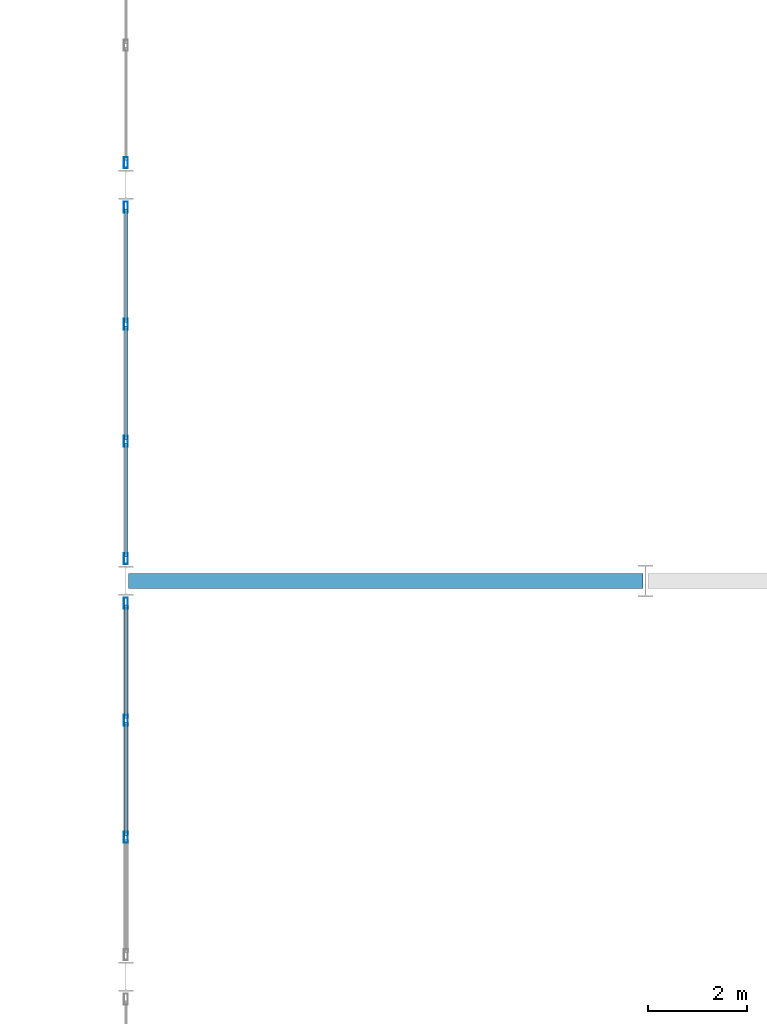
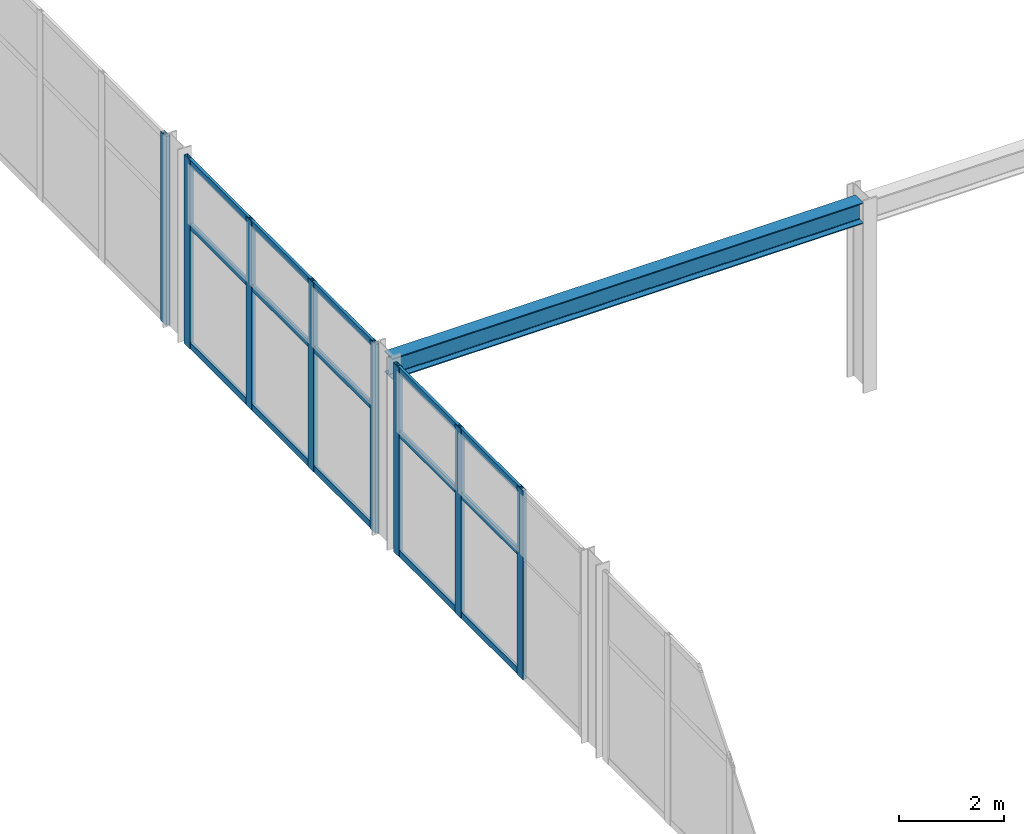
# One storey, part 24 of 105: 23 members, 1 beam, 3 elements without a shape of their own.
"""IFC4 building model written with IfcOpenShell, lengths in metres."""

from ifc_helpers import new_model, si_unit, direction, frame, origin, origin_2d, place, context, subcontext, project, spatial, hollow_rectangle, i_section, extrude, material, layer, layer_set, material_profile, profile_set, type_object, element, aggregate, save


model = new_model("IFC4")

# Units and contexts
model_context = context("Model", 3, precision=1e-05, world=origin(), true_north=direction((0.0, 1.0)))
body_context = subcontext(model_context, "Body", "Model", "MODEL_VIEW")
ifc_project = project(units=[si_unit("LENGTHUNIT", "METRE"), si_unit("AREAUNIT", "SQUARE_METRE"), si_unit("VOLUMEUNIT", "CUBIC_METRE"), si_unit("PLANEANGLEUNIT", "RADIAN"), si_unit("MASSUNIT", "GRAM", prefix="KILO")], contexts=[model_context])

# Site, building, storey
site_placement = place(None, origin())
site = spatial("IfcSite", under=ifc_project, at=site_placement, CompositionType="ELEMENT")
building_placement = place(site_placement, origin())
building = spatial("IfcBuilding", under=site, at=building_placement, Name="Marlcrest Central Station", CompositionType="ELEMENT")
storey_placement = place(building_placement, frame((0.0, 0.0, 15.0)))
storey = spatial("IfcBuildingStorey", under=building, at=storey_placement, Name="L03", CompositionType="ELEMENT", Elevation=15.0)

# Beam
ifc_material_1 = material(Name="Steel S355", Category="steel")
ifc_material_profile_1 = material_profile(ifc_material_1, i_section(OverallWidth=0.300048828125, OverallDepth=0.489990234375, WebThickness=0.011962890625, FlangeThickness=0.02294921875, FilletRadius=0.027099609375, at=origin_2d()), Name="HEA 500")
ifc_profile_set_1 = profile_set([ifc_material_profile_1], Name="Steel S355")
beam_type = type_object("IfcBeamType", Name="BM-10", PredefinedType="BEAM", material=ifc_profile_set_1)
beam_placement = place(storey_placement, frame((87.050048828125, 54.5, 4.074951171875), z_axis=(1.0, 0.0, 0.0), x_axis=(0.0, 1.0, 0.0)))
element("IfcBeam", 1, at=beam_placement, inside=storey, type_object=beam_type, Name="bm-BM-10-L03-01190", PredefinedType="BEAM", context=body_context, shape_type="SweptSolid", body=[
    extrude(i_section(OverallWidth=0.300048828125, OverallDepth=0.489990234375, WebThickness=0.011962890625, FlangeThickness=0.02294921875, FilletRadius=0.027099609375, at=origin_2d()), origin(), (0.0, 0.0, 1.0), 10.39990234375),
])

# Curtain wall, members
ifc_material_2 = material(Name="Anodised aluminium and hurricane laminated glass", Category="aluminium")
ifc_layer = layer(ifc_material_2, 0.219970703125, Name="CW-U1")
ifc_layer_set = layer_set([ifc_layer], Name="Anodised aluminium and hurricane laminated glass")
curtain_wall_type = type_object("IfcCurtainWallType", Name="CW-U1", PredefinedType="USERDEFINED", material=ifc_layer_set)
curtain_wall_1_placement = place(storey_placement, origin())
curtain_wall_1 = element("IfcCurtainWall", 2, at=curtain_wall_1_placement, inside=storey, type_object=curtain_wall_type, Name="cw-L03-0113", ObjectType="UNITISED_CURTAIN_WALL", PredefinedType="USERDEFINED")
ifc_material_3 = material(Name="Anodised aluminium 6063-T6", Category="aluminium")
ifc_material_profile_2 = material_profile(ifc_material_3, hollow_rectangle(XDim=0.080078125, YDim=0.219970703125, WallThickness=0.006103515625, at=origin_2d()), Name="AA-RHS 220x80x6")
ifc_profile_set_2 = profile_set([ifc_material_profile_2], Name="Anodised aluminium 6063-T6")
member_type_1 = type_object("IfcMemberType", Name="ML-01", PredefinedType="MULLION", material=ifc_profile_set_2)
member_1_placement = place(storey_placement, frame((87.0, 49.316650390625, -0.030029296875), z_axis=(0.0, 0.0, 1.0), x_axis=(1.0, 0.0, 0.0)))
member_1 = element("IfcMember", 3, at=member_1_placement, type_object=member_type_1, Name="cw-L03-0113-ml-1", PredefinedType="MULLION", context=body_context, shape_type="SweptSolid", body=[
    extrude(hollow_rectangle(XDim=0.080078125, YDim=0.219970703125, WallThickness=0.006103515625, at=origin_2d()), origin(), (0.0, 0.0, 1.0), 4.409912109375),
])
member_2_placement = place(storey_placement, frame((87.0, 51.683349609375, -0.030029296875), z_axis=(0.0, 0.0, 1.0), x_axis=(1.0, 0.0, 0.0)))
member_2 = element("IfcMember", 4, at=member_2_placement, type_object=member_type_1, Name="cw-L03-0113-ml-2", PredefinedType="MULLION", context=body_context, shape_type="SweptSolid", body=[
    extrude(hollow_rectangle(XDim=0.080078125, YDim=0.219970703125, WallThickness=0.006103515625, at=origin_2d()), origin(), (0.0, 0.0, 1.0), 4.409912109375),
])
member_3_placement = place(storey_placement, frame((87.0, 54.050048828125, -0.030029296875), z_axis=(0.0, 0.0, 1.0), x_axis=(1.0, 0.0, 0.0)))
member_3 = element("IfcMember", 5, at=member_3_placement, type_object=member_type_1, Name="cw-L03-0113-ml-3", PredefinedType="MULLION", context=body_context, shape_type="SweptSolid", body=[
    extrude(hollow_rectangle(XDim=0.080078125, YDim=0.219970703125, WallThickness=0.006103515625, at=origin_2d()), origin(), (0.0, 0.0, 1.0), 4.409912109375),
])

curtain_wall_2_placement = place(storey_placement, origin())
curtain_wall_2 = element("IfcCurtainWall", 6, at=curtain_wall_2_placement, inside=storey, type_object=curtain_wall_type, Name="cw-L03-0117", ObjectType="UNITISED_CURTAIN_WALL", PredefinedType="USERDEFINED")
member_4_placement = place(storey_placement, frame((87.0, 54.949951171875, -0.030029296875), z_axis=(0.0, 0.0, 1.0), x_axis=(1.0, 0.0, 0.0)))
member_4 = element("IfcMember", 7, at=member_4_placement, type_object=member_type_1, Name="cw-L03-0117-ml-0", PredefinedType="MULLION", context=body_context, shape_type="SweptSolid", body=[
    extrude(hollow_rectangle(XDim=0.080078125, YDim=0.219970703125, WallThickness=0.006103515625, at=origin_2d()), origin(), (0.0, 0.0, 1.0), 4.409912109375),
])
member_5_placement = place(storey_placement, frame((87.0, 57.316650390625, -0.030029296875), z_axis=(0.0, 0.0, 1.0), x_axis=(1.0, 0.0, 0.0)))
member_5 = element("IfcMember", 8, at=member_5_placement, type_object=member_type_1, Name="cw-L03-0117-ml-1", PredefinedType="MULLION", context=body_context, shape_type="SweptSolid", body=[
    extrude(hollow_rectangle(XDim=0.080078125, YDim=0.219970703125, WallThickness=0.006103515625, at=origin_2d()), origin(), (0.0, 0.0, 1.0), 4.409912109375),
])
member_6_placement = place(storey_placement, frame((87.0, 59.683349609375, -0.030029296875), z_axis=(0.0, 0.0, 1.0), x_axis=(1.0, 0.0, 0.0)))
member_6 = element("IfcMember", 9, at=member_6_placement, type_object=member_type_1, Name="cw-L03-0117-ml-2", PredefinedType="MULLION", context=body_context, shape_type="SweptSolid", body=[
    extrude(hollow_rectangle(XDim=0.080078125, YDim=0.219970703125, WallThickness=0.006103515625, at=origin_2d()), origin(), (0.0, 0.0, 1.0), 4.409912109375),
])
member_7_placement = place(storey_placement, frame((87.0, 62.050048828125, -0.030029296875), z_axis=(0.0, 0.0, 1.0), x_axis=(1.0, 0.0, 0.0)))
member_7 = element("IfcMember", 10, at=member_7_placement, type_object=member_type_1, Name="cw-L03-0117-ml-3", PredefinedType="MULLION", context=body_context, shape_type="SweptSolid", body=[
    extrude(hollow_rectangle(XDim=0.080078125, YDim=0.219970703125, WallThickness=0.006103515625, at=origin_2d()), origin(), (0.0, 0.0, 1.0), 4.409912109375),
])

# Curtain wall, member
curtain_wall_3_placement = place(storey_placement, origin())
curtain_wall_3 = element("IfcCurtainWall", 11, at=curtain_wall_3_placement, inside=storey, type_object=curtain_wall_type, Name="cw-L03-0121", ObjectType="UNITISED_CURTAIN_WALL", PredefinedType="USERDEFINED")
member_8_placement = place(storey_placement, frame((87.0, 62.949951171875, -0.030029296875), z_axis=(0.0, 0.0, 1.0), x_axis=(1.0, 0.0, 0.0)))
member_8 = element("IfcMember", 12, at=member_8_placement, type_object=member_type_1, Name="cw-L03-0121-ml-0", PredefinedType="MULLION", context=body_context, shape_type="SweptSolid", body=[
    extrude(hollow_rectangle(XDim=0.080078125, YDim=0.219970703125, WallThickness=0.006103515625, at=origin_2d()), origin(), (0.0, 0.0, 1.0), 4.409912109375),
])
aggregate(curtain_wall_3, [member_8])

# Member
ifc_material_profile_3 = material_profile(ifc_material_3, hollow_rectangle(XDim=0.06005859375, YDim=0.14990234375, WallThickness=0.00390625, at=origin_2d()), Name="AA-RHS 150x60x4")
ifc_profile_set_3 = profile_set([ifc_material_profile_3], Name="Anodised aluminium 6063-T6")
member_type_2 = type_object("IfcMemberType", Name="TR-01", PredefinedType="USERDEFINED", material=ifc_profile_set_3)
member_9_placement = place(storey_placement, frame((87.0, 49.354736328125, 0.0400390625), z_axis=(0.0, 1.0, 0.0), x_axis=(-1.0, 0.0, 0.0)))
member_9 = element("IfcMember", 13, at=member_9_placement, type_object=member_type_2, Name="cw-L03-0113-tr-1-sill", ObjectType="TRANSOM", PredefinedType="USERDEFINED", context=body_context, shape_type="SweptSolid", body=[
    extrude(hollow_rectangle(XDim=0.06005859375, YDim=0.14990234375, WallThickness=0.00390625, at=origin_2d()), origin(), (0.0, 0.0, 1.0), 2.29052734375),
])

member_10_placement = place(storey_placement, frame((87.0, 49.354736328125, 2.827880859375), z_axis=(0.0, 1.0, 0.0), x_axis=(-1.0, 0.0, 0.0)))
member_10 = element("IfcMember", 14, at=member_10_placement, type_object=member_type_2, Name="cw-L03-0113-tr-1-mid", ObjectType="TRANSOM", PredefinedType="USERDEFINED", context=body_context, shape_type="SweptSolid", body=[
    extrude(hollow_rectangle(XDim=0.06005859375, YDim=0.14990234375, WallThickness=0.00390625, at=origin_2d()), origin(), (0.0, 0.0, 1.0), 2.29052734375),
])

member_11_placement = place(storey_placement, frame((87.0, 49.354736328125, 4.31005859375), z_axis=(0.0, 1.0, 0.0), x_axis=(-1.0, 0.0, 0.0)))
member_11 = element("IfcMember", 15, at=member_11_placement, type_object=member_type_2, Name="cw-L03-0113-tr-1-head", ObjectType="TRANSOM", PredefinedType="USERDEFINED", context=body_context, shape_type="SweptSolid", body=[
    extrude(hollow_rectangle(XDim=0.06005859375, YDim=0.14990234375, WallThickness=0.00390625, at=origin_2d()), origin(), (0.0, 0.0, 1.0), 2.29052734375),
])

member_12_placement = place(storey_placement, frame((87.0, 51.72119140625, 0.0400390625), z_axis=(0.0, 1.0, 0.0), x_axis=(-1.0, 0.0, 0.0)))
member_12 = element("IfcMember", 16, at=member_12_placement, type_object=member_type_2, Name="cw-L03-0113-tr-2-sill", ObjectType="TRANSOM", PredefinedType="USERDEFINED", context=body_context, shape_type="SweptSolid", body=[
    extrude(hollow_rectangle(XDim=0.06005859375, YDim=0.14990234375, WallThickness=0.00390625, at=origin_2d()), origin(), (0.0, 0.0, 1.0), 2.290771484375),
])

member_13_placement = place(storey_placement, frame((87.0, 51.72119140625, 2.827880859375), z_axis=(0.0, 1.0, 0.0), x_axis=(-1.0, 0.0, 0.0)))
member_13 = element("IfcMember", 17, at=member_13_placement, type_object=member_type_2, Name="cw-L03-0113-tr-2-mid", ObjectType="TRANSOM", PredefinedType="USERDEFINED", context=body_context, shape_type="SweptSolid", body=[
    extrude(hollow_rectangle(XDim=0.06005859375, YDim=0.14990234375, WallThickness=0.00390625, at=origin_2d()), origin(), (0.0, 0.0, 1.0), 2.290771484375),
])

member_14_placement = place(storey_placement, frame((87.0, 51.72119140625, 4.31005859375), z_axis=(0.0, 1.0, 0.0), x_axis=(-1.0, 0.0, 0.0)))
member_14 = element("IfcMember", 18, at=member_14_placement, type_object=member_type_2, Name="cw-L03-0113-tr-2-head", ObjectType="TRANSOM", PredefinedType="USERDEFINED", context=body_context, shape_type="SweptSolid", body=[
    extrude(hollow_rectangle(XDim=0.06005859375, YDim=0.14990234375, WallThickness=0.00390625, at=origin_2d()), origin(), (0.0, 0.0, 1.0), 2.290771484375),
])

aggregate(curtain_wall_1, [member_1, member_2, member_3, member_9, member_10, member_11, member_12, member_13, member_14])

member_15_placement = place(storey_placement, frame((87.0, 54.988037109375, 0.0400390625), z_axis=(0.0, 1.0, 0.0), x_axis=(-1.0, 0.0, 0.0)))
member_15 = element("IfcMember", 19, at=member_15_placement, type_object=member_type_2, Name="cw-L03-0117-tr-0-sill", ObjectType="TRANSOM", PredefinedType="USERDEFINED", context=body_context, shape_type="SweptSolid", body=[
    extrude(hollow_rectangle(XDim=0.06005859375, YDim=0.14990234375, WallThickness=0.00390625, at=origin_2d()), origin(), (0.0, 0.0, 1.0), 2.290771484375),
])

member_16_placement = place(storey_placement, frame((87.0, 54.988037109375, 2.827880859375), z_axis=(0.0, 1.0, 0.0), x_axis=(-1.0, 0.0, 0.0)))
member_16 = element("IfcMember", 20, at=member_16_placement, type_object=member_type_2, Name="cw-L03-0117-tr-0-mid", ObjectType="TRANSOM", PredefinedType="USERDEFINED", context=body_context, shape_type="SweptSolid", body=[
    extrude(hollow_rectangle(XDim=0.06005859375, YDim=0.14990234375, WallThickness=0.00390625, at=origin_2d()), origin(), (0.0, 0.0, 1.0), 2.290771484375),
])

member_17_placement = place(storey_placement, frame((87.0, 54.988037109375, 4.31005859375), z_axis=(0.0, 1.0, 0.0), x_axis=(-1.0, 0.0, 0.0)))
member_17 = element("IfcMember", 21, at=member_17_placement, type_object=member_type_2, Name="cw-L03-0117-tr-0-head", ObjectType="TRANSOM", PredefinedType="USERDEFINED", context=body_context, shape_type="SweptSolid", body=[
    extrude(hollow_rectangle(XDim=0.06005859375, YDim=0.14990234375, WallThickness=0.00390625, at=origin_2d()), origin(), (0.0, 0.0, 1.0), 2.290771484375),
])

member_18_placement = place(storey_placement, frame((87.0, 57.354736328125, 0.0400390625), z_axis=(0.0, 1.0, 0.0), x_axis=(-1.0, 0.0, 0.0)))
member_18 = element("IfcMember", 22, at=member_18_placement, type_object=member_type_2, Name="cw-L03-0117-tr-1-sill", ObjectType="TRANSOM", PredefinedType="USERDEFINED", context=body_context, shape_type="SweptSolid", body=[
    extrude(hollow_rectangle(XDim=0.06005859375, YDim=0.14990234375, WallThickness=0.00390625, at=origin_2d()), origin(), (0.0, 0.0, 1.0), 2.29052734375),
])

member_19_placement = place(storey_placement, frame((87.0, 57.354736328125, 2.827880859375), z_axis=(0.0, 1.0, 0.0), x_axis=(-1.0, 0.0, 0.0)))
member_19 = element("IfcMember", 23, at=member_19_placement, type_object=member_type_2, Name="cw-L03-0117-tr-1-mid", ObjectType="TRANSOM", PredefinedType="USERDEFINED", context=body_context, shape_type="SweptSolid", body=[
    extrude(hollow_rectangle(XDim=0.06005859375, YDim=0.14990234375, WallThickness=0.00390625, at=origin_2d()), origin(), (0.0, 0.0, 1.0), 2.29052734375),
])

member_20_placement = place(storey_placement, frame((87.0, 57.354736328125, 4.31005859375), z_axis=(0.0, 1.0, 0.0), x_axis=(-1.0, 0.0, 0.0)))
member_20 = element("IfcMember", 24, at=member_20_placement, type_object=member_type_2, Name="cw-L03-0117-tr-1-head", ObjectType="TRANSOM", PredefinedType="USERDEFINED", context=body_context, shape_type="SweptSolid", body=[
    extrude(hollow_rectangle(XDim=0.06005859375, YDim=0.14990234375, WallThickness=0.00390625, at=origin_2d()), origin(), (0.0, 0.0, 1.0), 2.29052734375),
])

member_21_placement = place(storey_placement, frame((87.0, 59.72119140625, 0.0400390625), z_axis=(0.0, 1.0, 0.0), x_axis=(-1.0, 0.0, 0.0)))
member_21 = element("IfcMember", 25, at=member_21_placement, type_object=member_type_2, Name="cw-L03-0117-tr-2-sill", ObjectType="TRANSOM", PredefinedType="USERDEFINED", context=body_context, shape_type="SweptSolid", body=[
    extrude(hollow_rectangle(XDim=0.06005859375, YDim=0.14990234375, WallThickness=0.00390625, at=origin_2d()), origin(), (0.0, 0.0, 1.0), 2.290771484375),
])

member_22_placement = place(storey_placement, frame((87.0, 59.72119140625, 2.827880859375), z_axis=(0.0, 1.0, 0.0), x_axis=(-1.0, 0.0, 0.0)))
member_22 = element("IfcMember", 26, at=member_22_placement, type_object=member_type_2, Name="cw-L03-0117-tr-2-mid", ObjectType="TRANSOM", PredefinedType="USERDEFINED", context=body_context, shape_type="SweptSolid", body=[
    extrude(hollow_rectangle(XDim=0.06005859375, YDim=0.14990234375, WallThickness=0.00390625, at=origin_2d()), origin(), (0.0, 0.0, 1.0), 2.290771484375),
])

member_23_placement = place(storey_placement, frame((87.0, 59.72119140625, 4.31005859375), z_axis=(0.0, 1.0, 0.0), x_axis=(-1.0, 0.0, 0.0)))
member_23 = element("IfcMember", 27, at=member_23_placement, type_object=member_type_2, Name="cw-L03-0117-tr-2-head", ObjectType="TRANSOM", PredefinedType="USERDEFINED", context=body_context, shape_type="SweptSolid", body=[
    extrude(hollow_rectangle(XDim=0.06005859375, YDim=0.14990234375, WallThickness=0.00390625, at=origin_2d()), origin(), (0.0, 0.0, 1.0), 2.290771484375),
])

aggregate(curtain_wall_2, [member_4, member_5, member_6, member_7, member_15, member_16, member_17, member_18, member_19, member_20, member_21, member_22, member_23])

save(model, "model.ifc")
